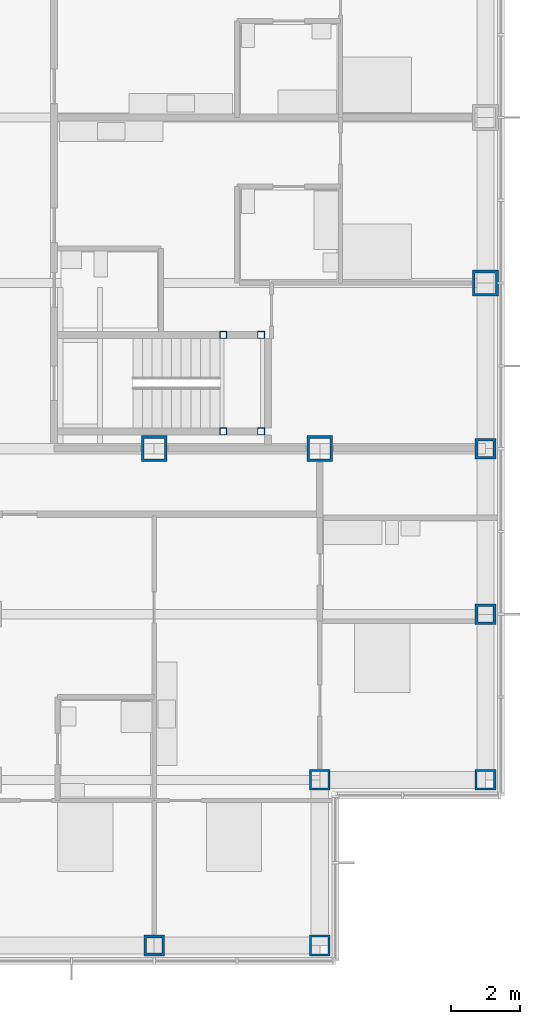
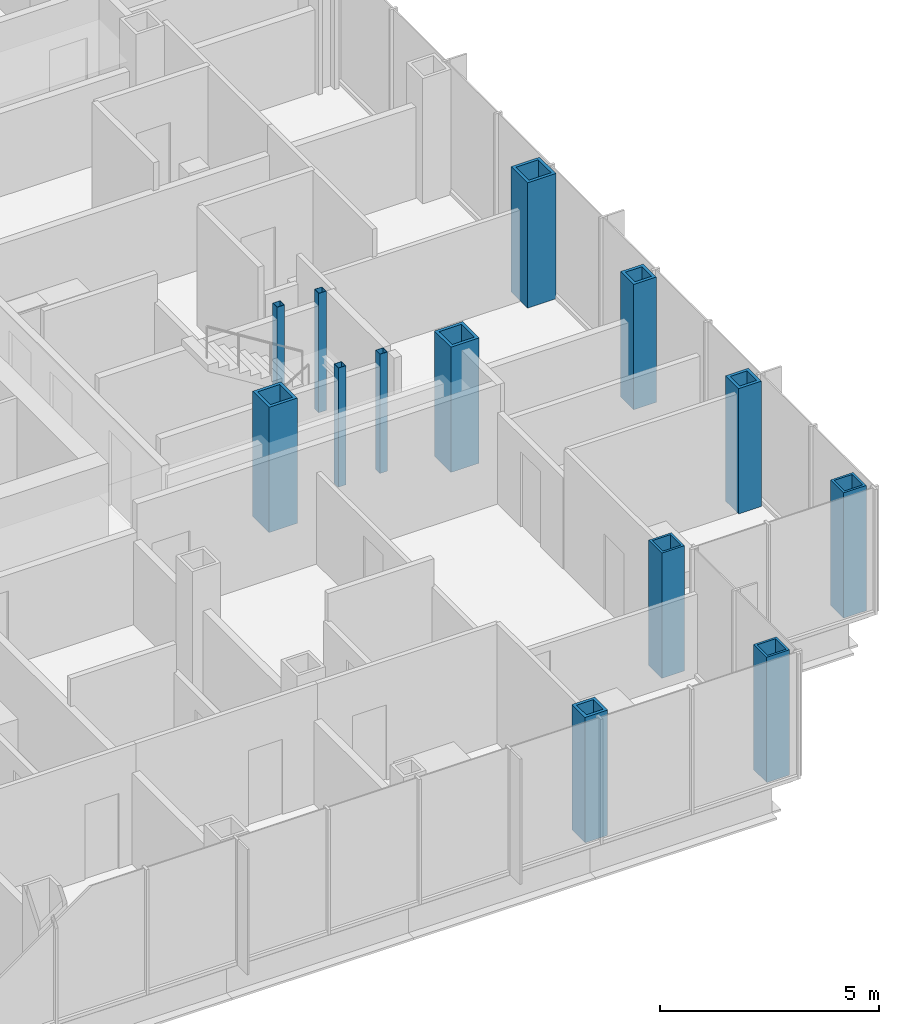
# One storey, part 4 of 21: 13 columns.
"""IFC4 building model written with IfcOpenShell, lengths in metres."""

import ifcopenshell
import ifcopenshell.guid

model = None  # the IFC model being written
_history = None  # IfcOwnerHistory: only IFC2X3 demands one
_inside = {}  # id of a spatial element -> (the spatial element, [elements in it])
_under = {}  # id of a project, library or spatial element -> (it, [spatial elements below it])
_declared = {}  # id of a project -> (the project, [libraries it declares])
_typed = {}  # id of a type object -> (the type object, [elements of that type])
_made_of = {}  # id of a material, layer set ... -> (it, [elements and type objects made of it])


def new_model(schema):
    """Start an empty IFC model of exactly this schema.

    Asked for "IFC4X3", IfcOpenShell would pick the latest addendum, in which some entities
    have other attributes; the version numbers below select the first issue.
    IFC2X3 requires an IfcOwnerHistory on every rooted entity: one is made here for all.
    """
    global model, _history
    if schema == "IFC4X3":
        model = ifcopenshell.file(schema_version=(4, 3, 0, 0))
    else:
        model = ifcopenshell.file(schema=schema)
    _inside.clear()
    _under.clear()
    _declared.clear()
    _typed.clear()
    _made_of.clear()
    _history = None
    if model.schema == "IFC2X3":
        org = make("IfcOrganization", Name="unknown")
        user = make(
            "IfcPersonAndOrganization",
            ThePerson=make("IfcPerson", FamilyName="unknown"),
            TheOrganization=org,
        )
        app = make(
            "IfcApplication",
            ApplicationDeveloper=org,
            Version="unknown",
            ApplicationFullName="unknown",
            ApplicationIdentifier="unknown",
        )
        _history = make(
            "IfcOwnerHistory",
            OwningUser=user,
            OwningApplication=app,
            ChangeAction="ADDED",
            CreationDate=0,
        )
    return model


def make(cls, **values):
    """One entity of the class cls with the attributes given. An attribute that is None is left unset."""
    return model.create_entity(
        cls, **{name: value for name, value in values.items() if value is not None}
    )


def rooted(cls, **values):
    """An entity with a GlobalId (a new one), such as an element, a storey or a relation."""
    return make(cls, GlobalId=ifcopenshell.guid.new(), OwnerHistory=_history, **values)


def si_unit(unit_type, name, prefix=None):
    """IfcSIUnit, for example si_unit("LENGTHUNIT", "METRE", prefix="MILLI")."""
    return make("IfcSIUnit", UnitType=unit_type, Prefix=prefix, Name=name)


def assignment(units):
    """IfcUnitAssignment: the units of a project."""
    return None if units is None else make("IfcUnitAssignment", Units=units)


def point(xyz):
    """IfcCartesianPoint."""
    return None if xyz is None else make("IfcCartesianPoint", Coordinates=xyz)


def direction(xyz):
    """IfcDirection."""
    return None if xyz is None else make("IfcDirection", DirectionRatios=xyz)


def frame(location, z_axis=None, x_axis=None):
    """IfcAxis2Placement3D, a coordinate frame: its origin and axes. An axis left out is left unset."""
    return make(
        "IfcAxis2Placement3D",
        Location=point(location),
        Axis=direction(z_axis),
        RefDirection=direction(x_axis),
    )


def frame_2d(location, x_axis=None):
    """IfcAxis2Placement2D, a coordinate frame in the plane: its origin and x axis."""
    return make(
        "IfcAxis2Placement2D", Location=point(location), RefDirection=direction(x_axis)
    )


def origin():
    """The frame at (0, 0, 0) with its axes left unset."""
    return frame((0.0, 0.0, 0.0))


def origin_2d():
    """The frame at (0, 0) in the plane with its x axis left unset."""
    return frame_2d((0.0, 0.0))


def place(relative_to, where):
    """IfcLocalPlacement: puts the frame where relative to a parent placement (None: the world)."""
    return make(
        "IfcLocalPlacement", PlacementRelTo=relative_to, RelativePlacement=where
    )


def context(
    kind, dimensions, precision=None, world=None, true_north=None, identifier=None
):
    """IfcGeometricRepresentationContext, for example the 3D "Model" context."""
    return make(
        "IfcGeometricRepresentationContext",
        ContextIdentifier=identifier,
        ContextType=kind,
        CoordinateSpaceDimension=dimensions,
        Precision=precision,
        WorldCoordinateSystem=world,
        TrueNorth=true_north,
    )


def subcontext(parent, identifier, kind, view, scale=None):
    """IfcGeometricRepresentationSubContext, for example "Body" below "Model"."""
    return make(
        "IfcGeometricRepresentationSubContext",
        ContextIdentifier=identifier,
        ContextType=kind,
        ParentContext=parent,
        TargetScale=scale,
        TargetView=view,
    )


def project(units=None, contexts=None):
    """IfcProject with its units and contexts."""
    return rooted(
        "IfcProject",
        Name="project",
        RepresentationContexts=contexts,
        UnitsInContext=assignment(units),
    )


def spatial(cls, under=None, at=None, **own):
    """A site, building, storey or space (cls), placed at a placement, below another one or the project."""
    s = rooted(cls, ObjectPlacement=at, **own)
    if under is not None:
        _under.setdefault(under.id(), (under, []))[1].append(s)
    return s


def profile(cls, at=None, kind="AREA", **sizes):
    """A parametric profile (cls). Its sizes go by their IFC names, for example OverallWidth=200.0."""
    return make(cls, ProfileType=kind, Position=at, **sizes)


def hollow_rectangle(**sizes):
    """IfcRectangleHollowProfileDef."""
    return profile("IfcRectangleHollowProfileDef", **sizes)


def extrude(swept, where, along, depth):
    """IfcExtrudedAreaSolid: the profile swept, set in the frame where, extruded along a direction by depth."""
    return make(
        "IfcExtrudedAreaSolid",
        SweptArea=swept,
        Position=where,
        ExtrudedDirection=direction(along),
        Depth=depth,
    )


def shape(context_of_items, identifier, shape_type, items):
    """IfcShapeRepresentation: the items that make up one representation, for example the "Body"."""
    return make(
        "IfcShapeRepresentation",
        ContextOfItems=context_of_items,
        RepresentationIdentifier=identifier,
        RepresentationType=shape_type,
        Items=items,
    )


def material(Name=None, Category=None):
    """IfcMaterial."""
    return make("IfcMaterial", Name=Name, Category=Category)


def material_profile(
    of_material, cross_section, Name=None, Category=None, Priority=None
):
    """IfcMaterialProfile: a cross section and its material."""
    return make(
        "IfcMaterialProfile",
        Name=Name,
        Material=of_material,
        Profile=cross_section,
        Priority=Priority,
        Category=Category,
    )


def profile_set(profiles, Name=None, composite=None):
    """IfcMaterialProfileSet."""
    return make(
        "IfcMaterialProfileSet",
        Name=Name,
        MaterialProfiles=profiles,
        CompositeProfile=composite,
    )


def made_of(thing, what):
    """Note that an element or type object is made of a material, layer set ...; save() writes the relation."""
    if what is not None:
        _made_of.setdefault(what.id(), (what, []))[1].append(thing)
    return thing


def type_object(cls, material=None, **own):
    """A type object (cls), such as IfcWallType, which elements share."""
    return made_of(rooted(cls, **own), material)


def element(
    cls,
    number,
    at=None,
    inside=None,
    cuts=None,
    type_object=None,
    material=None,
    context=None,
    identifier="Body",
    shape_type=None,
    held_by="IfcProductDefinitionShape",
    body=None,
    shapes=None,
    **own,
):
    """One element of the class cls, such as IfcWall. Its Tag is "e" and its number.

    at: its placement. inside: the storey or other place that contains it. cuts: it is an
    opening in that element (IfcRelVoidsElement). A single representation is given by context,
    identifier, shape_type and body (its items); several are given by shapes. held_by: the class
    of the entity that holds the representations. save() writes the other relations.
    """
    e = rooted(cls, Tag="e%d" % number, ObjectPlacement=at, **own)
    if body is not None:
        shapes = [shape(context, identifier, shape_type, body)]
    if shapes is not None:
        e.Representation = make(held_by, Representations=shapes)
    if inside is not None:
        _inside.setdefault(inside.id(), (inside, []))[1].append(e)
    if cuts is not None:
        rooted(
            "IfcRelVoidsElement", RelatingBuildingElement=cuts, RelatedOpeningElement=e
        )
    if type_object is not None:
        _typed.setdefault(type_object.id(), (type_object, []))[1].append(e)
    return made_of(e, material)


def aggregate(whole, parts):
    """IfcRelAggregates: a whole, such as a stair, and the parts it consists of."""
    return rooted("IfcRelAggregates", RelatingObject=whole, RelatedObjects=parts)


def save(model, path):
    """Write the relations noted so far, then the file.

    IfcRelAggregates (storeys below a building ...), IfcRelContainedInSpatialStructure (elements
    in a storey), IfcRelDefinesByType, IfcRelAssociatesMaterial and IfcRelDeclares: one each for
    every whole, place, type object, material and project.
    """
    for whole, parts in _under.values():
        aggregate(whole, parts)
    for where, things in _inside.values():
        rooted(
            "IfcRelContainedInSpatialStructure",
            RelatedElements=things,
            RelatingStructure=where,
        )
    for kind, things in _typed.values():
        rooted("IfcRelDefinesByType", RelatedObjects=things, RelatingType=kind)
    for what, things in _made_of.values():
        rooted("IfcRelAssociatesMaterial", RelatedObjects=things, RelatingMaterial=what)
    for by, libraries in _declared.values():
        rooted("IfcRelDeclares", RelatingContext=by, RelatedDefinitions=libraries)
    model.write(path)


model = new_model("IFC4")

# Units and contexts
model_context = context("Model", 3, precision=1e-05, world=origin(), true_north=direction((0.0, 1.0)))
body_context = subcontext(model_context, "Body", "Model", "MODEL_VIEW")
ifc_project = project(units=[si_unit("LENGTHUNIT", "METRE"), si_unit("AREAUNIT", "SQUARE_METRE"), si_unit("VOLUMEUNIT", "CUBIC_METRE"), si_unit("PLANEANGLEUNIT", "RADIAN"), si_unit("MASSUNIT", "GRAM", prefix="KILO")], contexts=[model_context])

# Site, building, storey
site_placement = place(None, origin())
site = spatial("IfcSite", under=ifc_project, at=site_placement, CompositionType="ELEMENT")
building_placement = place(site_placement, origin())
building = spatial("IfcBuilding", under=site, at=building_placement, Name="Kvirike Care Tower", CompositionType="ELEMENT")
storey_placement = place(building_placement, frame((0.0, 0.0, 55.0)))
storey = spatial("IfcBuildingStorey", under=building, at=storey_placement, Name="L14", CompositionType="ELEMENT", Elevation=55.0)

# Columns
ifc_material_1 = material(Name="Steel S460", Category="steel")
ifc_material_profile_1 = material_profile(ifc_material_1, hollow_rectangle(XDim=0.60009765625, YDim=0.60009765625, WallThickness=0.06005859375, at=origin_2d()), Name="BX 600x600x60")
ifc_profile_set_1 = profile_set([ifc_material_profile_1], Name="Steel S460")
column_type_1 = type_object("IfcColumnType", Name="COLUMN BX 600x600x60", PredefinedType="COLUMN", material=ifc_profile_set_1)
for number, where, z_axis, x_axis, name in (
    (1, (38.39990234375, 14.39990234375, 0.0), (0.0, 0.0, 1.0), (0.0, 1.0, 0.0), "Column D11 L14"),
    (2, (38.39990234375, 19.199951171875, 0.0), (0.0, 0.0, 1.0), (0.0, 1.0, 0.0), "Column E11 L14"),
    (3, (43.199951171875, 19.199951171875, 0.0), (0.0, 0.0, 1.0), (0.0, 1.0, 0.0), "Column E12 L14"),
):
    element("IfcColumn", number, at=place(storey_placement, frame(where, z_axis=z_axis, x_axis=x_axis)), inside=storey, type_object=column_type_1, Name=name, PredefinedType="COLUMN", context=body_context, shape_type="SweptSolid", body=[
        extrude(hollow_rectangle(XDim=0.60009765625, YDim=0.60009765625, WallThickness=0.06005859375, at=origin_2d()), origin(), (0.0, 0.0, 1.0), 3.5),
    ])
ifc_material_2 = material(Name="Steel S460", Category="steel")
ifc_material_profile_2 = material_profile(ifc_material_2, hollow_rectangle(XDim=0.60009765625, YDim=0.60009765625, WallThickness=0.080078125, at=origin_2d()), Name="BX 600x600x80")
ifc_profile_set_2 = profile_set([ifc_material_profile_2], Name="Steel S460")
column_type_2 = type_object("IfcColumnType", Name="COLUMN BX 600x600x80", PredefinedType="COLUMN", material=ifc_profile_set_2)
for number, where, z_axis, x_axis, name in (
    (4, (33.60009765625, 14.39990234375, 0.0), (0.0, 0.0, 1.0), (0.0, 1.0, 0.0), "Column D10 L14"),
    (5, (43.199951171875, 24.0, 0.0), (0.0, 0.0, 1.0), (1.0, 0.0, 0.0), "Column F12 L14"),
    (6, (43.199951171875, 28.800048828125, 0.0), (0.0, 0.0, 1.0), (0.0, 1.0, 0.0), "Column G12 L14"),
):
    element("IfcColumn", number, at=place(storey_placement, frame(where, z_axis=z_axis, x_axis=x_axis)), inside=storey, type_object=column_type_2, Name=name, PredefinedType="COLUMN", context=body_context, shape_type="SweptSolid", body=[
        extrude(hollow_rectangle(XDim=0.60009765625, YDim=0.60009765625, WallThickness=0.080078125, at=origin_2d()), origin(), (0.0, 0.0, 1.0), 3.5),
    ])
ifc_material_3 = material(Name="Steel S460", Category="steel")
ifc_material_profile_3 = material_profile(ifc_material_3, hollow_rectangle(XDim=0.75, YDim=0.75, WallThickness=0.080078125, at=origin_2d()), Name="BX 750x750x80")
ifc_profile_set_3 = profile_set([ifc_material_profile_3], Name="Steel S460")
column_type_3 = type_object("IfcColumnType", Name="COLUMN BX 750x750x80", PredefinedType="COLUMN", material=ifc_profile_set_3)
for number, where, z_axis, x_axis, name in (
    (7, (33.60009765625, 28.800048828125, 0.0), (0.0, 0.0, 1.0), (0.0, 1.0, 0.0), "Column G10 L14"),
    (8, (38.39990234375, 28.800048828125, 0.0), (0.0, 0.0, 1.0), (0.0, 1.0, 0.0), "Column G11 L14"),
    (9, (43.199951171875, 33.60009765625, 0.0), (0.0, 0.0, 1.0), (1.0, 0.0, 0.0), "Column H12 L14"),
):
    element("IfcColumn", number, at=place(storey_placement, frame(where, z_axis=z_axis, x_axis=x_axis)), inside=storey, type_object=column_type_3, Name=name, PredefinedType="COLUMN", context=body_context, shape_type="SweptSolid", body=[
        extrude(hollow_rectangle(XDim=0.75, YDim=0.75, WallThickness=0.080078125, at=origin_2d()), origin(), (0.0, 0.0, 1.0), 3.5),
    ])
ifc_material_4 = material(Name="Steel S460", Category="steel")
ifc_material_profile_4 = material_profile(ifc_material_4, hollow_rectangle(XDim=0.199951171875, YDim=0.199951171875, WallThickness=0.008056640625, at=origin_2d()), Name="SHS 200x200x8")
ifc_profile_set_4 = profile_set([ifc_material_profile_4], Name="Steel S460")
column_type_4 = type_object("IfcColumnType", Name="STAIR POST SHS 200x200x8", PredefinedType="COLUMN", material=ifc_profile_set_4)
for number, where, z_axis, x_axis, name in (
    (10, (36.699951171875, 29.300048828125, 0.0), (0.0, 0.0, 1.0), (1.0, 0.0, 0.0), "Stair 2 post 1 L14"),
    (11, (36.699951171875, 32.10009765625, 0.0), (0.0, 0.0, 1.0), (1.0, 0.0, 0.0), "Stair 2 post 2 L14"),
    (12, (35.60009765625, 29.300048828125, 0.0), (0.0, 0.0, 1.0), (1.0, 0.0, 0.0), "Stair 2 post 3 L14"),
    (13, (35.60009765625, 32.10009765625, 0.0), (0.0, 0.0, 1.0), (1.0, 0.0, 0.0), "Stair 2 post 4 L14"),
):
    element("IfcColumn", number, at=place(storey_placement, frame(where, z_axis=z_axis, x_axis=x_axis)), inside=storey, type_object=column_type_4, Name=name, PredefinedType="COLUMN", context=body_context, shape_type="SweptSolid", body=[
        extrude(hollow_rectangle(XDim=0.199951171875, YDim=0.199951171875, WallThickness=0.008056640625, at=origin_2d()), origin(), (0.0, 0.0, 1.0), 3.330078125),
    ])

save(model, "model.ifc")
